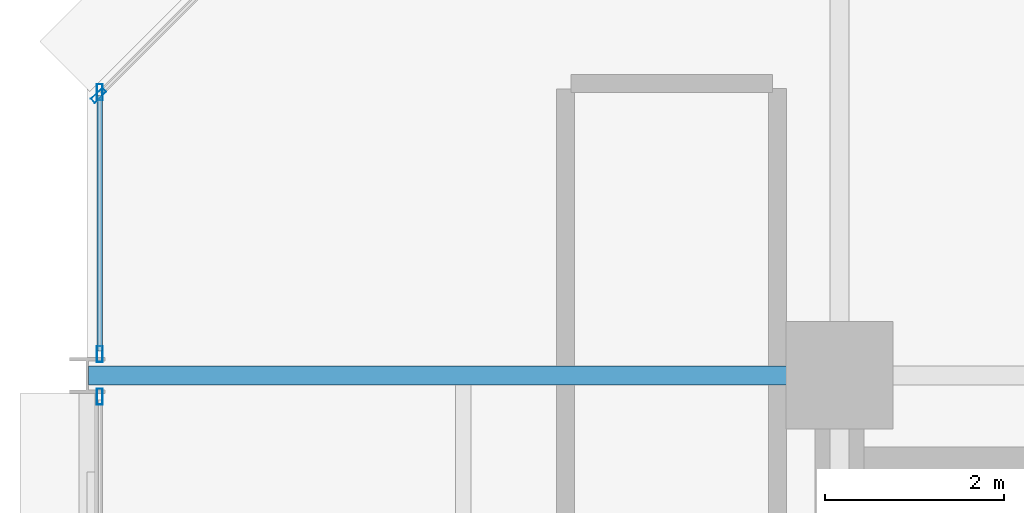
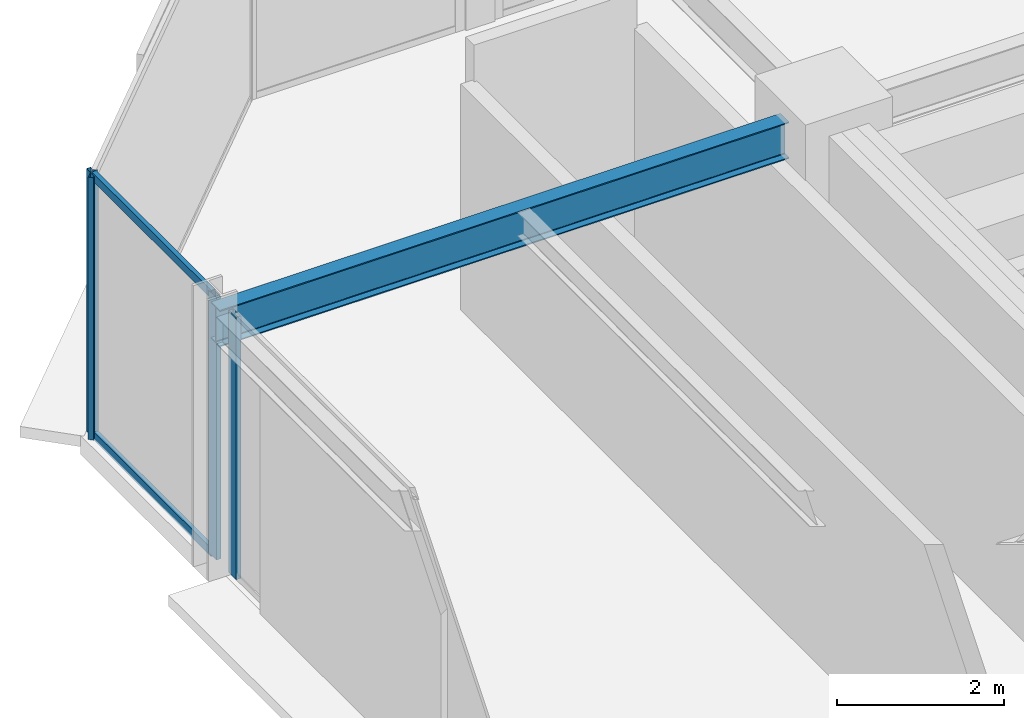
# One storey, part 18 of 30: 6 members, 1 beam, 3 elements without a shape of their own.
"""IFC4 building model written with IfcOpenShell, lengths in metres."""

from ifc_helpers import new_model, si_unit, direction, frame, origin, origin_2d, place, context, subcontext, project, spatial, hollow_rectangle, i_section, extrude, material, layer, layer_set, material_profile, profile_set, type_object, element, aggregate, save


model = new_model("IFC4")

# Units and contexts
model_context = context("Model", 3, precision=1e-05, world=origin(), true_north=direction((0.0, 1.0)))
body_context = subcontext(model_context, "Body", "Model", "MODEL_VIEW")
ifc_project = project(units=[si_unit("LENGTHUNIT", "METRE"), si_unit("AREAUNIT", "SQUARE_METRE"), si_unit("VOLUMEUNIT", "CUBIC_METRE"), si_unit("PLANEANGLEUNIT", "RADIAN"), si_unit("MASSUNIT", "GRAM", prefix="KILO")], contexts=[model_context])

# Site, building, storey
site_placement = place(None, origin())
site = spatial("IfcSite", under=ifc_project, at=site_placement, CompositionType="ELEMENT")
building_placement = place(site_placement, origin())
building = spatial("IfcBuilding", under=site, at=building_placement, Name="Nerrivon Quay Data Exchange", CompositionType="ELEMENT")
storey_placement = place(building_placement, frame((0.0, 0.0, 117.199951171875)))
storey = spatial("IfcBuildingStorey", under=building, at=storey_placement, Name="L27", CompositionType="ELEMENT", Elevation=117.199951171875)

# Beam
ifc_material_1 = material(Name="Steel Grade 350", Category="steel")
ifc_material_profile_1 = material_profile(ifc_material_1, i_section(OverallWidth=0.208984375, OverallDepth=0.532958984375, WebThickness=0.01025390625, FlangeThickness=0.015625, FilletRadius=0.013916015625, at=origin_2d()), Name="530UB92.4")
ifc_profile_set_1 = profile_set([ifc_material_profile_1], Name="Steel Grade 350")
beam_type = type_object("IfcBeamType", Name="BM-G3-530UB92", PredefinedType="BEAM", material=ifc_profile_set_1)
beam_placement = place(storey_placement, frame((0.012451171875, 42.0, 3.55859375), z_axis=(1.0, 0.0, 0.0), x_axis=(0.0, 1.0, 0.0)))
element("IfcBeam", 1, at=beam_placement, inside=storey, type_object=beam_type, Name="L27 EW Girder Y=42.0 (0.0..8.4)", PredefinedType="BEAM", context=body_context, shape_type="SweptSolid", body=[
    extrude(i_section(OverallWidth=0.208984375, OverallDepth=0.532958984375, WebThickness=0.01025390625, FlangeThickness=0.015625, FilletRadius=0.013916015625, at=origin_2d()), origin(), (0.0, 0.0, 1.0), 7.84765625),
])

# Curtain wall, member
ifc_material_2 = material(Name="Anodised aluminium 6063-T6", Category="aluminium")
ifc_layer = layer(ifc_material_2, 0.2099609375)
ifc_layer_set = layer_set([ifc_layer], Name="Anodised aluminium 6063-T6")
curtain_wall_type = type_object("IfcCurtainWallType", Name="CW-SYS-02", PredefinedType="NOTDEFINED", material=ifc_layer_set)
curtain_wall_1_placement = place(storey_placement, origin())
curtain_wall_1 = element("IfcCurtainWall", 2, at=curtain_wall_1_placement, inside=storey, type_object=curtain_wall_type, Name="L27 Unitised Curtain Wall 15", PredefinedType="NOTDEFINED")
ifc_material_profile_2 = material_profile(ifc_material_2, hollow_rectangle(XDim=0.06494140625, YDim=0.179931640625, WallThickness=0.00341796875, at=origin_2d()), Name="ALU-MULL-180x65")
ifc_profile_set_2 = profile_set([ifc_material_profile_2], Name="Anodised aluminium 6063-T6")
member_type_1 = type_object("IfcMemberType", Name="CWM-180x65", PredefinedType="MULLION", material=ifc_profile_set_2)
member_1_placement = place(storey_placement, frame((0.139892578125, 41.762451171875, 0.0), z_axis=(0.0, 0.0, 1.0), x_axis=(-1.0, 0.0, 0.0)))
member_1 = element("IfcMember", 3, at=member_1_placement, type_object=member_type_1, Name="CW02 mullion 2", PredefinedType="MULLION", context=body_context, shape_type="SweptSolid", body=[
    extrude(hollow_rectangle(XDim=0.06494140625, YDim=0.179931640625, WallThickness=0.00341796875, at=origin_2d()), origin(), (0.0, 0.0, 1.0), 3.824951171875),
])
aggregate(curtain_wall_1, [member_1])

# Curtain wall, members
curtain_wall_2_placement = place(storey_placement, origin())
curtain_wall_2 = element("IfcCurtainWall", 4, at=curtain_wall_2_placement, inside=storey, type_object=curtain_wall_type, Name="L27 Unitised Curtain Wall 16", PredefinedType="NOTDEFINED")
member_2_placement = place(storey_placement, frame((0.139892578125, 42.237548828125, 0.0), z_axis=(0.0, 0.0, 1.0), x_axis=(-1.0, 0.0, 0.0)))
member_2 = element("IfcMember", 5, at=member_2_placement, type_object=member_type_1, Name="CW02 mullion 1", PredefinedType="MULLION", context=body_context, shape_type="SweptSolid", body=[
    extrude(hollow_rectangle(XDim=0.06494140625, YDim=0.179931640625, WallThickness=0.00341796875, at=origin_2d()), origin(), (0.0, 0.0, 1.0), 3.824951171875),
])
member_3_placement = place(storey_placement, frame((0.139892578125, 45.16259765625, 0.0), z_axis=(0.0, 0.0, 1.0), x_axis=(-1.0, 0.0, 0.0)))
member_3 = element("IfcMember", 6, at=member_3_placement, type_object=member_type_1, Name="CW02 mullion 2", PredefinedType="MULLION", context=body_context, shape_type="SweptSolid", body=[
    extrude(hollow_rectangle(XDim=0.06494140625, YDim=0.179931640625, WallThickness=0.00341796875, at=origin_2d()), origin(), (0.0, 0.0, 1.0), 3.824951171875),
])

# Curtain wall, member
curtain_wall_3_placement = place(storey_placement, origin())
curtain_wall_3 = element("IfcCurtainWall", 7, at=curtain_wall_3_placement, inside=storey, type_object=curtain_wall_type, Name="L27 Unitised Curtain Wall 17", PredefinedType="NOTDEFINED")
member_4_placement = place(storey_placement, frame((0.12548828125, 45.12744140625, 0.0), z_axis=(0.0, 0.0, 1.0), x_axis=(-0.707106781187, 0.707106781187, 0.0)))
member_4 = element("IfcMember", 8, at=member_4_placement, type_object=member_type_1, Name="CW02 mullion 1", PredefinedType="MULLION", context=body_context, shape_type="SweptSolid", body=[
    extrude(hollow_rectangle(XDim=0.06494140625, YDim=0.179931640625, WallThickness=0.00341796875, at=origin_2d()), origin(), (0.0, 0.0, 1.0), 3.824951171875),
])
aggregate(curtain_wall_3, [member_4])

# Member
ifc_material_profile_3 = material_profile(ifc_material_2, hollow_rectangle(XDim=0.06005859375, YDim=0.1201171875, WallThickness=0.003173828125, at=origin_2d()), Name="ALU-TRAN-120x60")
ifc_profile_set_3 = profile_set([ifc_material_profile_3], Name="Anodised aluminium 6063-T6")
member_type_2 = type_object("IfcMemberType", Name="CWT-120x60", PredefinedType="USERDEFINED", material=ifc_profile_set_3)
member_5_placement = place(storey_placement, frame((0.139892578125, 42.27490234375, 0.032470703125), z_axis=(0.0, 1.0, 0.0), x_axis=(-1.0, 0.0, 0.0)))
member_5 = element("IfcMember", 9, at=member_5_placement, type_object=member_type_2, Name="CW02 transom 1.1", ObjectType="TRANSOM", PredefinedType="USERDEFINED", context=body_context, shape_type="SweptSolid", body=[
    extrude(hollow_rectangle(XDim=0.06005859375, YDim=0.1201171875, WallThickness=0.003173828125, at=origin_2d()), origin(), (0.0, 0.0, 1.0), 2.85009765625),
])

member_6_placement = place(storey_placement, frame((0.139892578125, 42.27490234375, 3.79248046875), z_axis=(0.0, 1.0, 0.0), x_axis=(-1.0, 0.0, 0.0)))
member_6 = element("IfcMember", 10, at=member_6_placement, type_object=member_type_2, Name="CW02 transom 1.2", ObjectType="TRANSOM", PredefinedType="USERDEFINED", context=body_context, shape_type="SweptSolid", body=[
    extrude(hollow_rectangle(XDim=0.06005859375, YDim=0.1201171875, WallThickness=0.003173828125, at=origin_2d()), origin(), (0.0, 0.0, 1.0), 2.85009765625),
])

aggregate(curtain_wall_2, [member_2, member_3, member_5, member_6])

save(model, "model.ifc")
